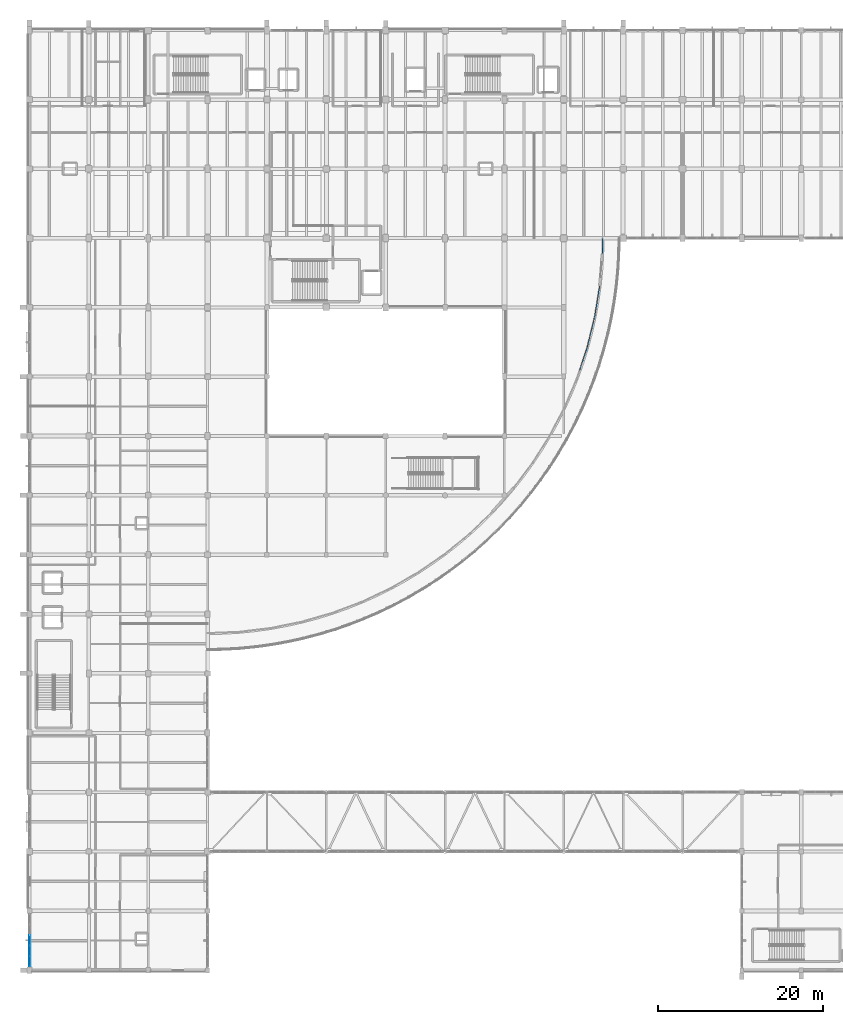
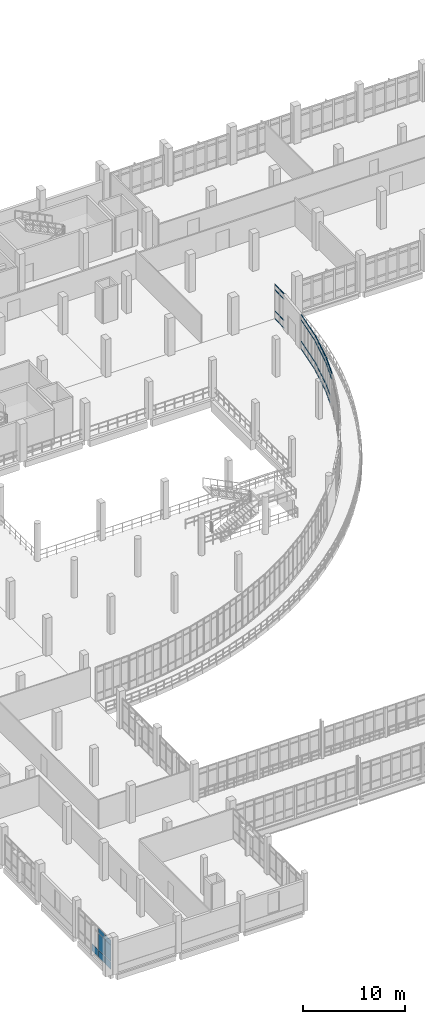
# One storey, part 86 of 124: 50 members, 7 plates, 5 elements without a shape of their own.
"""IFC4 building model written with IfcOpenShell, lengths in metres."""

from ifc_helpers import new_model, si_unit, direction, frame, origin, origin_2d, place, context, subcontext, project, spatial, rectangle, hollow_rectangle, extrude, material, layer, layer_set, material_profile, profile_set, type_object, element, aggregate, save


model = new_model("IFC4")

# Units and contexts
model_context = context("Model", 3, precision=1e-05, world=origin(), true_north=direction((0.0, 1.0)))
body_context = subcontext(model_context, "Body", "Model", "MODEL_VIEW")
ifc_project = project(units=[si_unit("LENGTHUNIT", "METRE"), si_unit("AREAUNIT", "SQUARE_METRE"), si_unit("VOLUMEUNIT", "CUBIC_METRE"), si_unit("PLANEANGLEUNIT", "RADIAN"), si_unit("MASSUNIT", "GRAM", prefix="KILO")], contexts=[model_context])

# Site, building, storey
site_placement = place(None, origin())
site = spatial("IfcSite", under=ifc_project, at=site_placement, CompositionType="ELEMENT")
building_placement = place(site_placement, origin())
building = spatial("IfcBuilding", under=site, at=building_placement, Name="Kalluvel Institute of Natural Sciences", CompositionType="ELEMENT")
storey_placement = place(building_placement, frame((0.0, 0.0, 9.89990234375)))
storey = spatial("IfcBuildingStorey", under=building, at=storey_placement, Name="L02", CompositionType="ELEMENT", Elevation=9.89990234375)

# Curtain wall, members
ifc_material_1 = material(Name="Aluminium AW-6063 T6", Category="aluminium")
curtain_wall_type_1 = type_object("IfcCurtainWallType", Name="CW-ATR-ARC", PredefinedType="USERDEFINED", material=ifc_material_1)
curtain_wall_1_placement = place(storey_placement, origin())
curtain_wall_1 = element("IfcCurtainWall", 1, at=curtain_wall_1_placement, inside=storey, type_object=curtain_wall_type_1, Name="L02 Gothic lancet curtain wall CWA-L02-X804-Y858", ObjectType="UNITISED LANCET FACADE", PredefinedType="USERDEFINED")
ifc_material_profile = material_profile(ifc_material_1, hollow_rectangle(XDim=0.06005859375, YDim=0.1201171875, WallThickness=0.00390625, at=origin_2d()), Name="CWT 60x120")
ifc_profile_set = profile_set([ifc_material_profile], Name="Aluminium AW-6063 T6")
member_type = type_object("IfcMemberType", Name="CWT-60x120", PredefinedType="USERDEFINED", material=ifc_profile_set)
member_1_placement = place(storey_placement, frame((80.7021484375, 86.757568359375, 3.5), z_axis=(0.316632638287, 0.94854824462, 0.0), x_axis=(-0.94854824462, 0.316632638287, 0.0)))
member_1 = element("IfcMember", 2, at=member_1_placement, type_object=member_type, Name="CW-05 transom 2.3", ObjectType="TRANSOM", PredefinedType="USERDEFINED", context=body_context, shape_type="SweptSolid", body=[
    extrude(hollow_rectangle(XDim=0.06005859375, YDim=0.1201171875, WallThickness=0.00390625, at=origin_2d()), origin(), (0.0, 0.0, 1.0), 0.904541015625),
])
member_2_placement = place(storey_placement, frame((80.7021484375, 86.757568359375, 4.1201171875), z_axis=(0.316632638287, 0.94854824462, 0.0), x_axis=(-0.94854824462, 0.316632638287, 0.0)))
member_2 = element("IfcMember", 3, at=member_2_placement, type_object=member_type, Name="CW-05 transom 2.4", ObjectType="TRANSOM", PredefinedType="USERDEFINED", context=body_context, shape_type="SweptSolid", body=[
    extrude(hollow_rectangle(XDim=0.06005859375, YDim=0.1201171875, WallThickness=0.00390625, at=origin_2d()), origin(), (0.0, 0.0, 1.0), 0.904541015625),
])
member_3_placement = place(storey_placement, frame((81.007568359375, 87.67236328125, 0.030029296875), z_axis=(0.316632638287, 0.94854824462, 0.0), x_axis=(-0.94854824462, 0.316632638287, 0.0)))
member_3 = element("IfcMember", 4, at=member_3_placement, type_object=member_type, Name="CW-05 transom 3.1", ObjectType="TRANSOM", PredefinedType="USERDEFINED", context=body_context, shape_type="SweptSolid", body=[
    extrude(hollow_rectangle(XDim=0.06005859375, YDim=0.1201171875, WallThickness=0.00390625, at=origin_2d()), origin(), (0.0, 0.0, 1.0), 0.904541015625),
])
member_4_placement = place(storey_placement, frame((81.007568359375, 87.67236328125, 0.9501953125), z_axis=(0.316632638287, 0.94854824462, 0.0), x_axis=(-0.94854824462, 0.316632638287, 0.0)))
member_4 = element("IfcMember", 5, at=member_4_placement, type_object=member_type, Name="CW-05 transom 3.2", ObjectType="TRANSOM", PredefinedType="USERDEFINED", context=body_context, shape_type="SweptSolid", body=[
    extrude(hollow_rectangle(XDim=0.06005859375, YDim=0.1201171875, WallThickness=0.00390625, at=origin_2d()), origin(), (0.0, 0.0, 1.0), 0.904541015625),
])
member_5_placement = place(storey_placement, frame((81.007568359375, 87.67236328125, 3.5), z_axis=(0.316632638287, 0.94854824462, 0.0), x_axis=(-0.94854824462, 0.316632638287, 0.0)))
member_5 = element("IfcMember", 6, at=member_5_placement, type_object=member_type, Name="CW-05 transom 3.3", ObjectType="TRANSOM", PredefinedType="USERDEFINED", context=body_context, shape_type="SweptSolid", body=[
    extrude(hollow_rectangle(XDim=0.06005859375, YDim=0.1201171875, WallThickness=0.00390625, at=origin_2d()), origin(), (0.0, 0.0, 1.0), 0.904541015625),
])
member_6_placement = place(storey_placement, frame((81.007568359375, 87.67236328125, 4.1201171875), z_axis=(0.316632638287, 0.94854824462, 0.0), x_axis=(-0.94854824462, 0.316632638287, 0.0)))
member_6 = element("IfcMember", 7, at=member_6_placement, type_object=member_type, Name="CW-05 transom 3.4", ObjectType="TRANSOM", PredefinedType="USERDEFINED", context=body_context, shape_type="SweptSolid", body=[
    extrude(hollow_rectangle(XDim=0.06005859375, YDim=0.1201171875, WallThickness=0.00390625, at=origin_2d()), origin(), (0.0, 0.0, 1.0), 0.904541015625),
])
member_7_placement = place(storey_placement, frame((81.31298828125, 88.587158203125, 0.030029296875), z_axis=(0.316646579879, 0.948543590696, 0.0), x_axis=(-0.948543590696, 0.316646579879, 0.0)))
member_7 = element("IfcMember", 8, at=member_7_placement, type_object=member_type, Name="CW-05 transom 4.1", ObjectType="TRANSOM", PredefinedType="USERDEFINED", context=body_context, shape_type="SweptSolid", body=[
    extrude(hollow_rectangle(XDim=0.06005859375, YDim=0.1201171875, WallThickness=0.00390625, at=origin_2d()), origin(), (0.0, 0.0, 1.0), 0.874267578125),
])
member_8_placement = place(storey_placement, frame((81.31298828125, 88.587158203125, 0.9501953125), z_axis=(0.316646579879, 0.948543590696, 0.0), x_axis=(-0.948543590696, 0.316646579879, 0.0)))
member_8 = element("IfcMember", 9, at=member_8_placement, type_object=member_type, Name="CW-05 transom 4.2", ObjectType="TRANSOM", PredefinedType="USERDEFINED", context=body_context, shape_type="SweptSolid", body=[
    extrude(hollow_rectangle(XDim=0.06005859375, YDim=0.1201171875, WallThickness=0.00390625, at=origin_2d()), origin(), (0.0, 0.0, 1.0), 0.874267578125),
])
member_9_placement = place(storey_placement, frame((81.31298828125, 88.587158203125, 3.5), z_axis=(0.316646579879, 0.948543590696, 0.0), x_axis=(-0.948543590696, 0.316646579879, 0.0)))
member_9 = element("IfcMember", 10, at=member_9_placement, type_object=member_type, Name="CW-05 transom 4.3", ObjectType="TRANSOM", PredefinedType="USERDEFINED", context=body_context, shape_type="SweptSolid", body=[
    extrude(hollow_rectangle(XDim=0.06005859375, YDim=0.1201171875, WallThickness=0.00390625, at=origin_2d()), origin(), (0.0, 0.0, 1.0), 0.874267578125),
])
member_10_placement = place(storey_placement, frame((81.31298828125, 88.587158203125, 4.1201171875), z_axis=(0.316646579879, 0.948543590696, 0.0), x_axis=(-0.948543590696, 0.316646579879, 0.0)))
member_10 = element("IfcMember", 11, at=member_10_placement, type_object=member_type, Name="CW-05 transom 4.4", ObjectType="TRANSOM", PredefinedType="USERDEFINED", context=body_context, shape_type="SweptSolid", body=[
    extrude(hollow_rectangle(XDim=0.06005859375, YDim=0.1201171875, WallThickness=0.00390625, at=origin_2d()), origin(), (0.0, 0.0, 1.0), 0.874267578125),
])
aggregate(curtain_wall_1, [member_1, member_2, member_3, member_4, member_5, member_6, member_7, member_8, member_9, member_10])

curtain_wall_2_placement = place(storey_placement, origin())
curtain_wall_2 = element("IfcCurtainWall", 12, at=curtain_wall_2_placement, inside=storey, type_object=curtain_wall_type_1, Name="L02 Gothic lancet curtain wall CWA-L02-X816-Y895", ObjectType="UNITISED LANCET FACADE", PredefinedType="USERDEFINED")
member_11_placement = place(storey_placement, frame((81.623046875, 89.53173828125, 0.030029296875), z_axis=(0.239577962822, 0.970877129059, 0.0), x_axis=(-0.970877129059, 0.239577962822, 0.0)))
member_11 = element("IfcMember", 13, at=member_11_placement, type_object=member_type, Name="CW-05 transom 1.1", ObjectType="TRANSOM", PredefinedType="USERDEFINED", context=body_context, shape_type="SweptSolid", body=[
    extrude(hollow_rectangle(XDim=0.06005859375, YDim=0.1201171875, WallThickness=0.00390625, at=origin_2d()), origin(), (0.0, 0.0, 1.0), 0.874267578125),
])
member_12_placement = place(storey_placement, frame((81.623046875, 89.53173828125, 0.9501953125), z_axis=(0.239577962822, 0.970877129059, 0.0), x_axis=(-0.970877129059, 0.239577962822, 0.0)))
member_12 = element("IfcMember", 14, at=member_12_placement, type_object=member_type, Name="CW-05 transom 1.2", ObjectType="TRANSOM", PredefinedType="USERDEFINED", context=body_context, shape_type="SweptSolid", body=[
    extrude(hollow_rectangle(XDim=0.06005859375, YDim=0.1201171875, WallThickness=0.00390625, at=origin_2d()), origin(), (0.0, 0.0, 1.0), 0.874267578125),
])
member_13_placement = place(storey_placement, frame((81.623046875, 89.53173828125, 3.5), z_axis=(0.239577962822, 0.970877129059, 0.0), x_axis=(-0.970877129059, 0.239577962822, 0.0)))
member_13 = element("IfcMember", 15, at=member_13_placement, type_object=member_type, Name="CW-05 transom 1.3", ObjectType="TRANSOM", PredefinedType="USERDEFINED", context=body_context, shape_type="SweptSolid", body=[
    extrude(hollow_rectangle(XDim=0.06005859375, YDim=0.1201171875, WallThickness=0.00390625, at=origin_2d()), origin(), (0.0, 0.0, 1.0), 0.874267578125),
])
member_14_placement = place(storey_placement, frame((81.623046875, 89.53173828125, 4.1201171875), z_axis=(0.239577962822, 0.970877129059, 0.0), x_axis=(-0.970877129059, 0.239577962822, 0.0)))
member_14 = element("IfcMember", 16, at=member_14_placement, type_object=member_type, Name="CW-05 transom 1.4", ObjectType="TRANSOM", PredefinedType="USERDEFINED", context=body_context, shape_type="SweptSolid", body=[
    extrude(hollow_rectangle(XDim=0.06005859375, YDim=0.1201171875, WallThickness=0.00390625, at=origin_2d()), origin(), (0.0, 0.0, 1.0), 0.874267578125),
])
member_15_placement = place(storey_placement, frame((81.8466796875, 90.43896484375, 0.030029296875), z_axis=(0.239485077854, 0.970900045054, 0.0), x_axis=(-0.970900045054, 0.239485077854, 0.0)))
member_15 = element("IfcMember", 17, at=member_15_placement, type_object=member_type, Name="CW-05 transom 2.1", ObjectType="TRANSOM", PredefinedType="USERDEFINED", context=body_context, shape_type="SweptSolid", body=[
    extrude(hollow_rectangle(XDim=0.06005859375, YDim=0.1201171875, WallThickness=0.00390625, at=origin_2d()), origin(), (0.0, 0.0, 1.0), 0.904296875),
])
member_16_placement = place(storey_placement, frame((81.8466796875, 90.43896484375, 0.9501953125), z_axis=(0.239485077854, 0.970900045054, 0.0), x_axis=(-0.970900045054, 0.239485077854, 0.0)))
member_16 = element("IfcMember", 18, at=member_16_placement, type_object=member_type, Name="CW-05 transom 2.2", ObjectType="TRANSOM", PredefinedType="USERDEFINED", context=body_context, shape_type="SweptSolid", body=[
    extrude(hollow_rectangle(XDim=0.06005859375, YDim=0.1201171875, WallThickness=0.00390625, at=origin_2d()), origin(), (0.0, 0.0, 1.0), 0.904296875),
])
member_17_placement = place(storey_placement, frame((81.8466796875, 90.43896484375, 3.5), z_axis=(0.239485077854, 0.970900045054, 0.0), x_axis=(-0.970900045054, 0.239485077854, 0.0)))
member_17 = element("IfcMember", 19, at=member_17_placement, type_object=member_type, Name="CW-05 transom 2.3", ObjectType="TRANSOM", PredefinedType="USERDEFINED", context=body_context, shape_type="SweptSolid", body=[
    extrude(hollow_rectangle(XDim=0.06005859375, YDim=0.1201171875, WallThickness=0.00390625, at=origin_2d()), origin(), (0.0, 0.0, 1.0), 0.904296875),
])
member_18_placement = place(storey_placement, frame((81.8466796875, 90.43896484375, 4.1201171875), z_axis=(0.239485077854, 0.970900045054, 0.0), x_axis=(-0.970900045054, 0.239485077854, 0.0)))
member_18 = element("IfcMember", 20, at=member_18_placement, type_object=member_type, Name="CW-05 transom 2.4", ObjectType="TRANSOM", PredefinedType="USERDEFINED", context=body_context, shape_type="SweptSolid", body=[
    extrude(hollow_rectangle(XDim=0.06005859375, YDim=0.1201171875, WallThickness=0.00390625, at=origin_2d()), origin(), (0.0, 0.0, 1.0), 0.904296875),
])
member_19_placement = place(storey_placement, frame((82.07763671875, 91.375244140625, 0.030029296875), z_axis=(0.239167840252, 0.970978240842, 0.0), x_axis=(-0.970978240842, 0.239167840252, 0.0)))
member_19 = element("IfcMember", 21, at=member_19_placement, type_object=member_type, Name="CW-05 transom 3.1", ObjectType="TRANSOM", PredefinedType="USERDEFINED", context=body_context, shape_type="SweptSolid", body=[
    extrude(hollow_rectangle(XDim=0.06005859375, YDim=0.1201171875, WallThickness=0.00390625, at=origin_2d()), origin(), (0.0, 0.0, 1.0), 0.904541015625),
])
member_20_placement = place(storey_placement, frame((82.07763671875, 91.375244140625, 0.9501953125), z_axis=(0.239167840252, 0.970978240842, 0.0), x_axis=(-0.970978240842, 0.239167840252, 0.0)))
member_20 = element("IfcMember", 22, at=member_20_placement, type_object=member_type, Name="CW-05 transom 3.2", ObjectType="TRANSOM", PredefinedType="USERDEFINED", context=body_context, shape_type="SweptSolid", body=[
    extrude(hollow_rectangle(XDim=0.06005859375, YDim=0.1201171875, WallThickness=0.00390625, at=origin_2d()), origin(), (0.0, 0.0, 1.0), 0.904541015625),
])
member_21_placement = place(storey_placement, frame((82.07763671875, 91.375244140625, 3.5), z_axis=(0.239167840252, 0.970978240842, 0.0), x_axis=(-0.970978240842, 0.239167840252, 0.0)))
member_21 = element("IfcMember", 23, at=member_21_placement, type_object=member_type, Name="CW-05 transom 3.3", ObjectType="TRANSOM", PredefinedType="USERDEFINED", context=body_context, shape_type="SweptSolid", body=[
    extrude(hollow_rectangle(XDim=0.06005859375, YDim=0.1201171875, WallThickness=0.00390625, at=origin_2d()), origin(), (0.0, 0.0, 1.0), 0.904541015625),
])
member_22_placement = place(storey_placement, frame((82.07763671875, 91.375244140625, 4.1201171875), z_axis=(0.239167840252, 0.970978240842, 0.0), x_axis=(-0.970978240842, 0.239167840252, 0.0)))
member_22 = element("IfcMember", 24, at=member_22_placement, type_object=member_type, Name="CW-05 transom 3.4", ObjectType="TRANSOM", PredefinedType="USERDEFINED", context=body_context, shape_type="SweptSolid", body=[
    extrude(hollow_rectangle(XDim=0.06005859375, YDim=0.1201171875, WallThickness=0.00390625, at=origin_2d()), origin(), (0.0, 0.0, 1.0), 0.904541015625),
])
member_23_placement = place(storey_placement, frame((82.308349609375, 92.3115234375, 0.030029296875), z_axis=(0.239249866063, 0.970958032867, 0.0), x_axis=(-0.970958032867, 0.239249866063, 0.0)))
member_23 = element("IfcMember", 25, at=member_23_placement, type_object=member_type, Name="CW-05 transom 4.1", ObjectType="TRANSOM", PredefinedType="USERDEFINED", context=body_context, shape_type="SweptSolid", body=[
    extrude(hollow_rectangle(XDim=0.06005859375, YDim=0.1201171875, WallThickness=0.00390625, at=origin_2d()), origin(), (0.0, 0.0, 1.0), 0.87451171875),
])
member_24_placement = place(storey_placement, frame((82.308349609375, 92.3115234375, 0.9501953125), z_axis=(0.239249866063, 0.970958032867, 0.0), x_axis=(-0.970958032867, 0.239249866063, 0.0)))
member_24 = element("IfcMember", 26, at=member_24_placement, type_object=member_type, Name="CW-05 transom 4.2", ObjectType="TRANSOM", PredefinedType="USERDEFINED", context=body_context, shape_type="SweptSolid", body=[
    extrude(hollow_rectangle(XDim=0.06005859375, YDim=0.1201171875, WallThickness=0.00390625, at=origin_2d()), origin(), (0.0, 0.0, 1.0), 0.87451171875),
])
member_25_placement = place(storey_placement, frame((82.308349609375, 92.3115234375, 3.5), z_axis=(0.239249866063, 0.970958032867, 0.0), x_axis=(-0.970958032867, 0.239249866063, 0.0)))
member_25 = element("IfcMember", 27, at=member_25_placement, type_object=member_type, Name="CW-05 transom 4.3", ObjectType="TRANSOM", PredefinedType="USERDEFINED", context=body_context, shape_type="SweptSolid", body=[
    extrude(hollow_rectangle(XDim=0.06005859375, YDim=0.1201171875, WallThickness=0.00390625, at=origin_2d()), origin(), (0.0, 0.0, 1.0), 0.87451171875),
])
member_26_placement = place(storey_placement, frame((82.308349609375, 92.3115234375, 4.1201171875), z_axis=(0.239249866063, 0.970958032867, 0.0), x_axis=(-0.970958032867, 0.239249866063, 0.0)))
member_26 = element("IfcMember", 28, at=member_26_placement, type_object=member_type, Name="CW-05 transom 4.4", ObjectType="TRANSOM", PredefinedType="USERDEFINED", context=body_context, shape_type="SweptSolid", body=[
    extrude(hollow_rectangle(XDim=0.06005859375, YDim=0.1201171875, WallThickness=0.00390625, at=origin_2d()), origin(), (0.0, 0.0, 1.0), 0.87451171875),
])
aggregate(curtain_wall_2, [member_11, member_12, member_13, member_14, member_15, member_16, member_17, member_18, member_19, member_20, member_21, member_22, member_23, member_24, member_25, member_26])

curtain_wall_3_placement = place(storey_placement, origin())
curtain_wall_3 = element("IfcCurtainWall", 29, at=curtain_wall_3_placement, inside=storey, type_object=curtain_wall_type_1, Name="L02 Gothic lancet curtain wall CWA-L02-X825-Y932", ObjectType="UNITISED LANCET FACADE", PredefinedType="USERDEFINED")
member_27_placement = place(storey_placement, frame((82.54150390625, 93.278076171875, 0.030029296875), z_axis=(0.160549085699, 0.987027857297, 0.0), x_axis=(-0.987027857297, 0.160549085699, 0.0)))
member_27 = element("IfcMember", 30, at=member_27_placement, type_object=member_type, Name="CW-05 transom 1.1", ObjectType="TRANSOM", PredefinedType="USERDEFINED", context=body_context, shape_type="SweptSolid", body=[
    extrude(hollow_rectangle(XDim=0.06005859375, YDim=0.1201171875, WallThickness=0.00390625, at=origin_2d()), origin(), (0.0, 0.0, 1.0), 0.874267578125),
])
member_28_placement = place(storey_placement, frame((82.54150390625, 93.278076171875, 0.9501953125), z_axis=(0.160549085699, 0.987027857297, 0.0), x_axis=(-0.987027857297, 0.160549085699, 0.0)))
member_28 = element("IfcMember", 31, at=member_28_placement, type_object=member_type, Name="CW-05 transom 1.2", ObjectType="TRANSOM", PredefinedType="USERDEFINED", context=body_context, shape_type="SweptSolid", body=[
    extrude(hollow_rectangle(XDim=0.06005859375, YDim=0.1201171875, WallThickness=0.00390625, at=origin_2d()), origin(), (0.0, 0.0, 1.0), 0.874267578125),
])
member_29_placement = place(storey_placement, frame((82.54150390625, 93.278076171875, 3.5), z_axis=(0.160549085699, 0.987027857297, 0.0), x_axis=(-0.987027857297, 0.160549085699, 0.0)))
member_29 = element("IfcMember", 32, at=member_29_placement, type_object=member_type, Name="CW-05 transom 1.3", ObjectType="TRANSOM", PredefinedType="USERDEFINED", context=body_context, shape_type="SweptSolid", body=[
    extrude(hollow_rectangle(XDim=0.06005859375, YDim=0.1201171875, WallThickness=0.00390625, at=origin_2d()), origin(), (0.0, 0.0, 1.0), 0.874267578125),
])
member_30_placement = place(storey_placement, frame((82.54150390625, 93.278076171875, 4.1201171875), z_axis=(0.160549085699, 0.987027857297, 0.0), x_axis=(-0.987027857297, 0.160549085699, 0.0)))
member_30 = element("IfcMember", 33, at=member_30_placement, type_object=member_type, Name="CW-05 transom 1.4", ObjectType="TRANSOM", PredefinedType="USERDEFINED", context=body_context, shape_type="SweptSolid", body=[
    extrude(hollow_rectangle(XDim=0.06005859375, YDim=0.1201171875, WallThickness=0.00390625, at=origin_2d()), origin(), (0.0, 0.0, 1.0), 0.874267578125),
])
member_31_placement = place(storey_placement, frame((82.69140625, 94.2001953125, 0.030029296875), z_axis=(0.16058999595, 0.987021202002, 0.0), x_axis=(-0.987021202002, 0.16058999595, 0.0)))
member_31 = element("IfcMember", 34, at=member_31_placement, type_object=member_type, Name="CW-05 transom 2.1", ObjectType="TRANSOM", PredefinedType="USERDEFINED", context=body_context, shape_type="SweptSolid", body=[
    extrude(hollow_rectangle(XDim=0.06005859375, YDim=0.1201171875, WallThickness=0.00390625, at=origin_2d()), origin(), (0.0, 0.0, 1.0), 0.904541015625),
])
member_32_placement = place(storey_placement, frame((82.69140625, 94.2001953125, 0.9501953125), z_axis=(0.16058999595, 0.987021202002, 0.0), x_axis=(-0.987021202002, 0.16058999595, 0.0)))
member_32 = element("IfcMember", 35, at=member_32_placement, type_object=member_type, Name="CW-05 transom 2.2", ObjectType="TRANSOM", PredefinedType="USERDEFINED", context=body_context, shape_type="SweptSolid", body=[
    extrude(hollow_rectangle(XDim=0.06005859375, YDim=0.1201171875, WallThickness=0.00390625, at=origin_2d()), origin(), (0.0, 0.0, 1.0), 0.904541015625),
])
member_33_placement = place(storey_placement, frame((82.69140625, 94.2001953125, 3.5), z_axis=(0.16058999595, 0.987021202002, 0.0), x_axis=(-0.987021202002, 0.16058999595, 0.0)))
member_33 = element("IfcMember", 36, at=member_33_placement, type_object=member_type, Name="CW-05 transom 2.3", ObjectType="TRANSOM", PredefinedType="USERDEFINED", context=body_context, shape_type="SweptSolid", body=[
    extrude(hollow_rectangle(XDim=0.06005859375, YDim=0.1201171875, WallThickness=0.00390625, at=origin_2d()), origin(), (0.0, 0.0, 1.0), 0.904541015625),
])
member_34_placement = place(storey_placement, frame((82.69140625, 94.2001953125, 4.1201171875), z_axis=(0.16058999595, 0.987021202002, 0.0), x_axis=(-0.987021202002, 0.16058999595, 0.0)))
member_34 = element("IfcMember", 37, at=member_34_placement, type_object=member_type, Name="CW-05 transom 2.4", ObjectType="TRANSOM", PredefinedType="USERDEFINED", context=body_context, shape_type="SweptSolid", body=[
    extrude(hollow_rectangle(XDim=0.06005859375, YDim=0.1201171875, WallThickness=0.00390625, at=origin_2d()), origin(), (0.0, 0.0, 1.0), 0.904541015625),
])
member_35_placement = place(storey_placement, frame((82.84619140625, 95.152099609375, 0.030029296875), z_axis=(0.16032704018, 0.987063949391, 0.0), x_axis=(-0.987063949391, 0.16032704018, 0.0)))
member_35 = element("IfcMember", 38, at=member_35_placement, type_object=member_type, Name="CW-05 transom 3.1", ObjectType="TRANSOM", PredefinedType="USERDEFINED", context=body_context, shape_type="SweptSolid", body=[
    extrude(hollow_rectangle(XDim=0.06005859375, YDim=0.1201171875, WallThickness=0.00390625, at=origin_2d()), origin(), (0.0, 0.0, 1.0), 0.904541015625),
])
member_36_placement = place(storey_placement, frame((82.84619140625, 95.152099609375, 0.9501953125), z_axis=(0.16032704018, 0.987063949391, 0.0), x_axis=(-0.987063949391, 0.16032704018, 0.0)))
member_36 = element("IfcMember", 39, at=member_36_placement, type_object=member_type, Name="CW-05 transom 3.2", ObjectType="TRANSOM", PredefinedType="USERDEFINED", context=body_context, shape_type="SweptSolid", body=[
    extrude(hollow_rectangle(XDim=0.06005859375, YDim=0.1201171875, WallThickness=0.00390625, at=origin_2d()), origin(), (0.0, 0.0, 1.0), 0.904541015625),
])
member_37_placement = place(storey_placement, frame((82.84619140625, 95.152099609375, 3.5), z_axis=(0.16032704018, 0.987063949391, 0.0), x_axis=(-0.987063949391, 0.16032704018, 0.0)))
member_37 = element("IfcMember", 40, at=member_37_placement, type_object=member_type, Name="CW-05 transom 3.3", ObjectType="TRANSOM", PredefinedType="USERDEFINED", context=body_context, shape_type="SweptSolid", body=[
    extrude(hollow_rectangle(XDim=0.06005859375, YDim=0.1201171875, WallThickness=0.00390625, at=origin_2d()), origin(), (0.0, 0.0, 1.0), 0.904541015625),
])
member_38_placement = place(storey_placement, frame((82.84619140625, 95.152099609375, 4.1201171875), z_axis=(0.16032704018, 0.987063949391, 0.0), x_axis=(-0.987063949391, 0.16032704018, 0.0)))
member_38 = element("IfcMember", 41, at=member_38_placement, type_object=member_type, Name="CW-05 transom 3.4", ObjectType="TRANSOM", PredefinedType="USERDEFINED", context=body_context, shape_type="SweptSolid", body=[
    extrude(hollow_rectangle(XDim=0.06005859375, YDim=0.1201171875, WallThickness=0.00390625, at=origin_2d()), origin(), (0.0, 0.0, 1.0), 0.904541015625),
])
member_39_placement = place(storey_placement, frame((83.0009765625, 96.10400390625, 0.030029296875), z_axis=(0.160277048685, 0.987072068121, 0.0), x_axis=(-0.987072068121, 0.160277048685, 0.0)))
member_39 = element("IfcMember", 42, at=member_39_placement, type_object=member_type, Name="CW-05 transom 4.1", ObjectType="TRANSOM", PredefinedType="USERDEFINED", context=body_context, shape_type="SweptSolid", body=[
    extrude(hollow_rectangle(XDim=0.06005859375, YDim=0.1201171875, WallThickness=0.00390625, at=origin_2d()), origin(), (0.0, 0.0, 1.0), 0.874267578125),
])
member_40_placement = place(storey_placement, frame((83.0009765625, 96.10400390625, 0.9501953125), z_axis=(0.160277048685, 0.987072068121, 0.0), x_axis=(-0.987072068121, 0.160277048685, 0.0)))
member_40 = element("IfcMember", 43, at=member_40_placement, type_object=member_type, Name="CW-05 transom 4.2", ObjectType="TRANSOM", PredefinedType="USERDEFINED", context=body_context, shape_type="SweptSolid", body=[
    extrude(hollow_rectangle(XDim=0.06005859375, YDim=0.1201171875, WallThickness=0.00390625, at=origin_2d()), origin(), (0.0, 0.0, 1.0), 0.874267578125),
])
member_41_placement = place(storey_placement, frame((83.0009765625, 96.10400390625, 3.5), z_axis=(0.160277048685, 0.987072068121, 0.0), x_axis=(-0.987072068121, 0.160277048685, 0.0)))
member_41 = element("IfcMember", 44, at=member_41_placement, type_object=member_type, Name="CW-05 transom 4.3", ObjectType="TRANSOM", PredefinedType="USERDEFINED", context=body_context, shape_type="SweptSolid", body=[
    extrude(hollow_rectangle(XDim=0.06005859375, YDim=0.1201171875, WallThickness=0.00390625, at=origin_2d()), origin(), (0.0, 0.0, 1.0), 0.874267578125),
])
member_42_placement = place(storey_placement, frame((83.0009765625, 96.10400390625, 4.1201171875), z_axis=(0.160277048685, 0.987072068121, 0.0), x_axis=(-0.987072068121, 0.160277048685, 0.0)))
member_42 = element("IfcMember", 45, at=member_42_placement, type_object=member_type, Name="CW-05 transom 4.4", ObjectType="TRANSOM", PredefinedType="USERDEFINED", context=body_context, shape_type="SweptSolid", body=[
    extrude(hollow_rectangle(XDim=0.06005859375, YDim=0.1201171875, WallThickness=0.00390625, at=origin_2d()), origin(), (0.0, 0.0, 1.0), 0.874267578125),
])
aggregate(curtain_wall_3, [member_27, member_28, member_29, member_30, member_31, member_32, member_33, member_34, member_35, member_36, member_37, member_38, member_39, member_40, member_41, member_42])

curtain_wall_4_placement = place(storey_placement, origin())
curtain_wall_4 = element("IfcCurtainWall", 46, at=curtain_wall_4_placement, inside=storey, type_object=curtain_wall_type_1, Name="L02 Gothic lancet curtain wall CWA-L02-X835-Y1009", ObjectType="UNITISED LANCET FACADE", PredefinedType="USERDEFINED")
member_43_placement = place(storey_placement, frame((83.46240234375, 100.931396484375, 0.030029296875), z_axis=(0.020102052834, 0.99979793332, 0.0), x_axis=(-0.99979793332, 0.020102052834, 0.0)))
member_43 = element("IfcMember", 47, at=member_43_placement, type_object=member_type, Name="CW-05 transom 1.1", ObjectType="TRANSOM", PredefinedType="USERDEFINED", context=body_context, shape_type="SweptSolid", body=[
    extrude(hollow_rectangle(XDim=0.06005859375, YDim=0.1201171875, WallThickness=0.00390625, at=origin_2d()), origin(), (0.0, 0.0, 1.0), 0.87451171875),
])
member_44_placement = place(storey_placement, frame((83.46240234375, 100.931396484375, 0.9501953125), z_axis=(0.020102052834, 0.99979793332, 0.0), x_axis=(-0.99979793332, 0.020102052834, 0.0)))
member_44 = element("IfcMember", 48, at=member_44_placement, type_object=member_type, Name="CW-05 transom 1.2", ObjectType="TRANSOM", PredefinedType="USERDEFINED", context=body_context, shape_type="SweptSolid", body=[
    extrude(hollow_rectangle(XDim=0.06005859375, YDim=0.1201171875, WallThickness=0.00390625, at=origin_2d()), origin(), (0.0, 0.0, 1.0), 0.87451171875),
])
member_45_placement = place(storey_placement, frame((83.46240234375, 100.931396484375, 3.5), z_axis=(0.020102052834, 0.99979793332, 0.0), x_axis=(-0.99979793332, 0.020102052834, 0.0)))
member_45 = element("IfcMember", 49, at=member_45_placement, type_object=member_type, Name="CW-05 transom 1.3", ObjectType="TRANSOM", PredefinedType="USERDEFINED", context=body_context, shape_type="SweptSolid", body=[
    extrude(hollow_rectangle(XDim=0.06005859375, YDim=0.1201171875, WallThickness=0.00390625, at=origin_2d()), origin(), (0.0, 0.0, 1.0), 0.87451171875),
])
member_46_placement = place(storey_placement, frame((83.46240234375, 100.931396484375, 4.1201171875), z_axis=(0.020102052834, 0.99979793332, 0.0), x_axis=(-0.99979793332, 0.020102052834, 0.0)))
member_46 = element("IfcMember", 50, at=member_46_placement, type_object=member_type, Name="CW-05 transom 1.4", ObjectType="TRANSOM", PredefinedType="USERDEFINED", context=body_context, shape_type="SweptSolid", body=[
    extrude(hollow_rectangle(XDim=0.06005859375, YDim=0.1201171875, WallThickness=0.00390625, at=origin_2d()), origin(), (0.0, 0.0, 1.0), 0.87451171875),
])
member_47_placement = place(storey_placement, frame((83.481201171875, 101.86572265625, 0.030029296875), z_axis=(0.020102052834, 0.99979793332, 0.0), x_axis=(-0.99979793332, 0.020102052834, 0.0)))
member_47 = element("IfcMember", 51, at=member_47_placement, type_object=member_type, Name="CW-05 transom 2.1", ObjectType="TRANSOM", PredefinedType="USERDEFINED", context=body_context, shape_type="SweptSolid", body=[
    extrude(hollow_rectangle(XDim=0.06005859375, YDim=0.1201171875, WallThickness=0.00390625, at=origin_2d()), origin(), (0.0, 0.0, 1.0), 0.87451171875),
])
member_48_placement = place(storey_placement, frame((83.481201171875, 101.86572265625, 0.9501953125), z_axis=(0.020102052834, 0.99979793332, 0.0), x_axis=(-0.99979793332, 0.020102052834, 0.0)))
member_48 = element("IfcMember", 52, at=member_48_placement, type_object=member_type, Name="CW-05 transom 2.2", ObjectType="TRANSOM", PredefinedType="USERDEFINED", context=body_context, shape_type="SweptSolid", body=[
    extrude(hollow_rectangle(XDim=0.06005859375, YDim=0.1201171875, WallThickness=0.00390625, at=origin_2d()), origin(), (0.0, 0.0, 1.0), 0.87451171875),
])
member_49_placement = place(storey_placement, frame((83.481201171875, 101.86572265625, 3.5), z_axis=(0.020102052834, 0.99979793332, 0.0), x_axis=(-0.99979793332, 0.020102052834, 0.0)))
member_49 = element("IfcMember", 53, at=member_49_placement, type_object=member_type, Name="CW-05 transom 2.3", ObjectType="TRANSOM", PredefinedType="USERDEFINED", context=body_context, shape_type="SweptSolid", body=[
    extrude(hollow_rectangle(XDim=0.06005859375, YDim=0.1201171875, WallThickness=0.00390625, at=origin_2d()), origin(), (0.0, 0.0, 1.0), 0.87451171875),
])
member_50_placement = place(storey_placement, frame((83.481201171875, 101.86572265625, 4.1201171875), z_axis=(0.020102052834, 0.99979793332, 0.0), x_axis=(-0.99979793332, 0.020102052834, 0.0)))
member_50 = element("IfcMember", 54, at=member_50_placement, type_object=member_type, Name="CW-05 transom 2.4", ObjectType="TRANSOM", PredefinedType="USERDEFINED", context=body_context, shape_type="SweptSolid", body=[
    extrude(hollow_rectangle(XDim=0.06005859375, YDim=0.1201171875, WallThickness=0.00390625, at=origin_2d()), origin(), (0.0, 0.0, 1.0), 0.87451171875),
])
aggregate(curtain_wall_4, [member_43, member_44, member_45, member_46, member_47, member_48, member_49, member_50])

# Curtain wall, plates
curtain_wall_type_2 = type_object("IfcCurtainWallType", Name="CW-DRY-45", PredefinedType="USERDEFINED", material=ifc_material_1)
curtain_wall_5_placement = place(storey_placement, origin())
curtain_wall_5 = element("IfcCurtainWall", 55, at=curtain_wall_5_placement, inside=storey, type_object=curtain_wall_type_2, Name="L02 Gothic lancet curtain wall CWA-L02-X140-Y144", ObjectType="UNITISED LANCET FACADE", PredefinedType="USERDEFINED")
ifc_material_2 = material(Name="Solar-Control Low-E Laminated Glass", Category="glass")
ifc_layer = layer(ifc_material_2, 0.028076171875)
ifc_layer_set = layer_set([ifc_layer], Name="Solar-Control Low-E Laminated Glass")
plate_type = type_object("IfcPlateType", Name="CWP-DGU-28", PredefinedType="CURTAIN_PANEL", material=ifc_layer_set)
plate_1_placement = place(storey_placement, frame((14.0, 15.08251953125, 0.06005859375), z_axis=(0.0, 0.0, 1.0), x_axis=(0.0, 1.0, 0.0)))
plate_1 = element("IfcPlate", 56, at=plate_1_placement, type_object=plate_type, Name="CW-03 panel 1.1", PredefinedType="CURTAIN_PANEL", context=body_context, shape_type="SweptSolid", body=[
    extrude(rectangle(XDim=1.195068359375, YDim=0.028076171875, at=origin_2d()), origin(), (0.0, 0.0, 1.0), 0.860107421875),
])
plate_2_placement = place(storey_placement, frame((14.0, 15.08251953125, 0.980224609375), z_axis=(0.0, 0.0, 1.0), x_axis=(0.0, 1.0, 0.0)))
plate_2 = element("IfcPlate", 57, at=plate_2_placement, type_object=plate_type, Name="CW-03 panel 1.2", PredefinedType="CURTAIN_PANEL", context=body_context, shape_type="SweptSolid", body=[
    extrude(rectangle(XDim=1.195068359375, YDim=0.028076171875, at=origin_2d()), origin(), (0.0, 0.0, 1.0), 1.9599609375),
])
plate_3_placement = place(storey_placement, frame((14.0, 15.08251953125, 3.0), z_axis=(0.0, 0.0, 1.0), x_axis=(0.0, 1.0, 0.0)))
plate_3 = element("IfcPlate", 58, at=plate_3_placement, type_object=plate_type, Name="CW-03 panel 1.3", PredefinedType="CURTAIN_PANEL", context=body_context, shape_type="SweptSolid", body=[
    extrude(rectangle(XDim=1.195068359375, YDim=0.028076171875, at=origin_2d()), origin(), (0.0, 0.0, 1.0), 0.56005859375),
])
plate_4_placement = place(storey_placement, frame((14.0, 16.3525390625, 0.06005859375), z_axis=(0.0, 0.0, 1.0), x_axis=(0.0, 1.0, 0.0)))
plate_4 = element("IfcPlate", 59, at=plate_4_placement, type_object=plate_type, Name="CW-03 panel 2.1", PredefinedType="CURTAIN_PANEL", context=body_context, shape_type="SweptSolid", body=[
    extrude(rectangle(XDim=1.22509765625, YDim=0.028076171875, at=origin_2d()), origin(), (0.0, 0.0, 1.0), 0.860107421875),
])
plate_5_placement = place(storey_placement, frame((14.0, 16.3525390625, 0.980224609375), z_axis=(0.0, 0.0, 1.0), x_axis=(0.0, 1.0, 0.0)))
plate_5 = element("IfcPlate", 60, at=plate_5_placement, type_object=plate_type, Name="CW-03 panel 2.2", PredefinedType="CURTAIN_PANEL", context=body_context, shape_type="SweptSolid", body=[
    extrude(rectangle(XDim=1.22509765625, YDim=0.028076171875, at=origin_2d()), origin(), (0.0, 0.0, 1.0), 1.9599609375),
])
plate_6_placement = place(storey_placement, frame((14.0, 16.3525390625, 3.0), z_axis=(0.0, 0.0, 1.0), x_axis=(0.0, 1.0, 0.0)))
plate_6 = element("IfcPlate", 61, at=plate_6_placement, type_object=plate_type, Name="CW-03 panel 2.3", PredefinedType="CURTAIN_PANEL", context=body_context, shape_type="SweptSolid", body=[
    extrude(rectangle(XDim=1.22509765625, YDim=0.028076171875, at=origin_2d()), origin(), (0.0, 0.0, 1.0), 0.56005859375),
])
plate_7_placement = place(storey_placement, frame((14.0, 17.637451171875, 0.06005859375), z_axis=(0.0, 0.0, 1.0), x_axis=(0.0, 1.0, 0.0)))
plate_7 = element("IfcPlate", 62, at=plate_7_placement, type_object=plate_type, Name="CW-03 panel 3.1", PredefinedType="CURTAIN_PANEL", context=body_context, shape_type="SweptSolid", body=[
    extrude(rectangle(XDim=1.22509765625, YDim=0.028076171875, at=origin_2d()), origin(), (0.0, 0.0, 1.0), 0.860107421875),
])
aggregate(curtain_wall_5, [plate_1, plate_2, plate_3, plate_4, plate_5, plate_6, plate_7])

save(model, "model.ifc")
